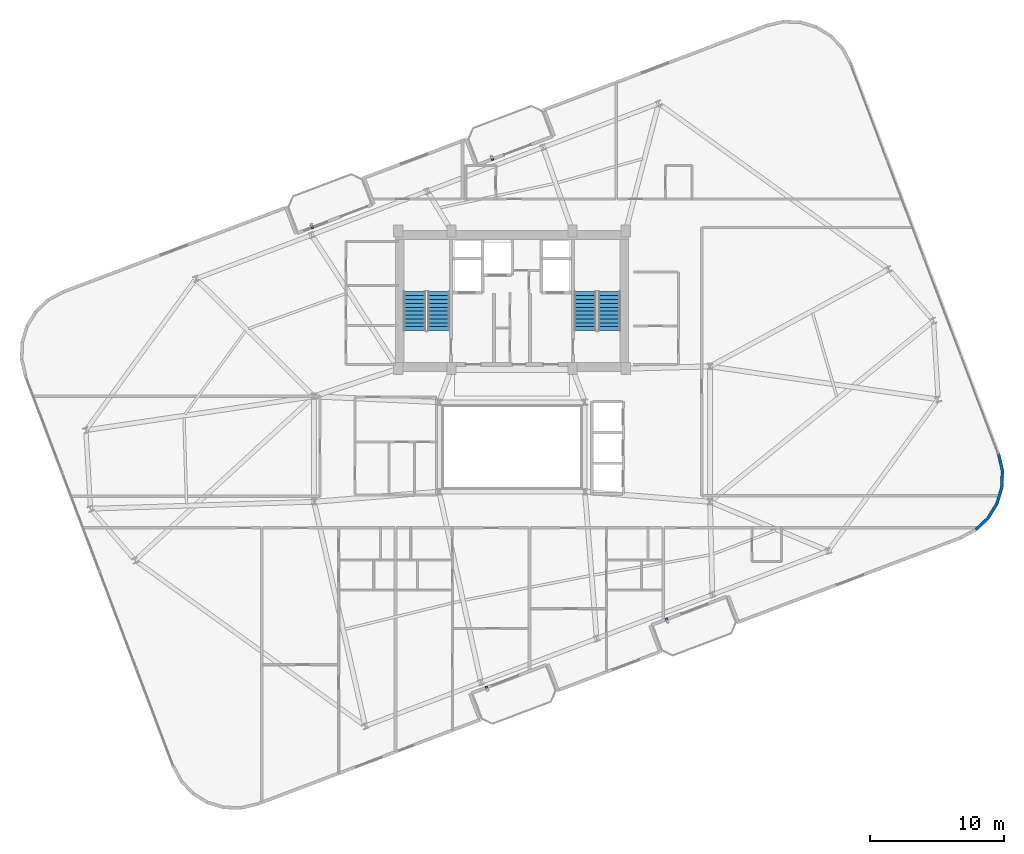
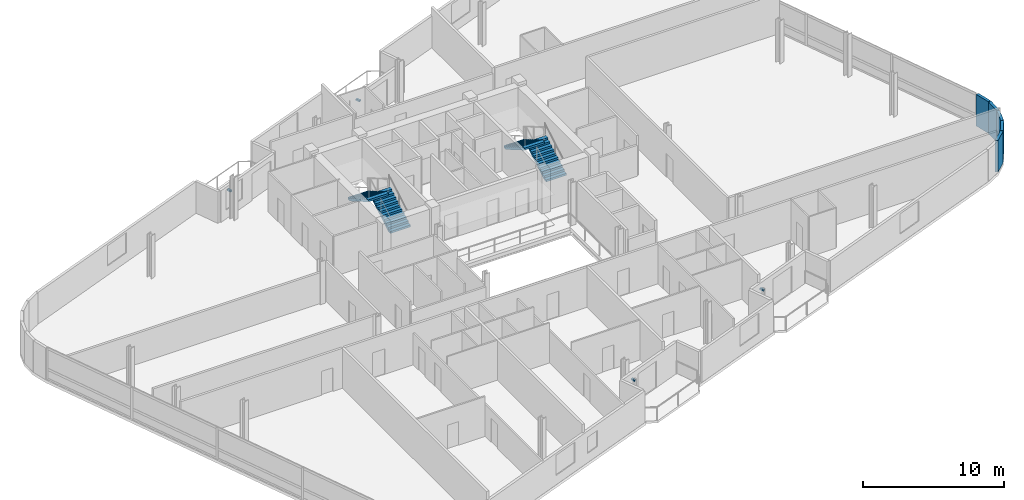
# One storey, part 18 of 20: 5 walls, 4 discrete accessories, 4 stair flights, 2 elements without a shape of their own.
"""IFC4 building model written with IfcOpenShell, lengths in metres."""

from ifc_helpers import new_model, si_unit, direction, frame, frame_2d, origin, origin_2d, place, context, subcontext, project, spatial, polyline, rectangle, outline, extrude, source, transform, mapped, material, layer, layer_set, type_object, element, aggregate, save


model = new_model("IFC4")

# Units and contexts
model_context = context("Model", 3, precision=1e-05, world=origin(), true_north=direction((0.0, 1.0)))
body_context = subcontext(model_context, "Body", "Model", "MODEL_VIEW")
ifc_project = project(units=[si_unit("LENGTHUNIT", "METRE"), si_unit("AREAUNIT", "SQUARE_METRE"), si_unit("VOLUMEUNIT", "CUBIC_METRE"), si_unit("PLANEANGLEUNIT", "RADIAN"), si_unit("MASSUNIT", "GRAM", prefix="KILO")], contexts=[model_context])

# Site, building, storey
site_placement = place(None, origin())
site = spatial("IfcSite", under=ifc_project, at=site_placement, CompositionType="ELEMENT")
building_placement = place(site_placement, origin())
building = spatial("IfcBuilding", under=site, at=building_placement, Name="Varnelok Gate Tower", CompositionType="ELEMENT")
storey_placement = place(building_placement, frame((0.0, 0.0, 220.10009765625)))
storey = spatial("IfcBuildingStorey", under=building, at=storey_placement, Name="L56", CompositionType="ELEMENT", Elevation=220.10009765625)

# Walls
ifc_material_1 = material(Name="Concrete C45/55", Category="concrete")
ifc_layer = layer(ifc_material_1, 0.219970703125)
ifc_layer_set = layer_set([ifc_layer], Name="Concrete C45/55")
wall_type = type_object("IfcWallType", Name="EW-BALC-220", PredefinedType="SOLIDWALL", material=ifc_layer_set)
wall_1_placement = place(storey_placement, frame((73.870849609375, 16.716552734375, 0.0), z_axis=(0.0, 0.0, 1.0), x_axis=(0.728475443486, 0.685071914647, 0.0)))
element("IfcWall", 1, at=wall_1_placement, inside=storey, type_object=wall_type, Name="L56 Perimeter Facade Closure Wall 15", PredefinedType="SOLIDWALL", context=body_context, shape_type="SweptSolid", body=[
    extrude(rectangle(XDim=1.248779296875, YDim=0.219970703125, at=frame_2d((0.62451171875, 0.0))), origin(), (0.0, 0.0, 1.0), 2.72998046875),
])
for number, where, z_axis, x_axis, name in (
    (2, (74.793701171875, 17.59326171875, 0.0), (0.0, 0.0, 1.0), (0.526549805576, 0.850144283194, 0.0), "L56 Perimeter Facade Closure Wall 16"),
    (3, (75.458251953125, 18.6787109375, 0.0), (0.0, 0.0, 1.0), (0.288406081086, 0.957508189204, 0.0), "L56 Perimeter Facade Closure Wall 17"),
):
    element("IfcWall", number, at=place(storey_placement, frame(where, z_axis=z_axis, x_axis=x_axis)), inside=storey, type_object=wall_type, Name=name, PredefinedType="SOLIDWALL", context=body_context, shape_type="SweptSolid", body=[
        extrude(rectangle(XDim=1.24853515625, YDim=0.219970703125, at=frame_2d((0.624267578125, 0.0))), origin(), (0.0, 0.0, 1.0), 2.72998046875),
    ])
wall_2_placement = place(storey_placement, frame((75.819091796875, 19.8994140625, 0.0), z_axis=(0.0, 0.0, 1.0), x_axis=(0.030898954628, 0.999522513305, 0.0)))
element("IfcWall", 4, at=wall_2_placement, inside=storey, type_object=wall_type, Name="L56 Perimeter Facade Closure Wall 18", PredefinedType="SOLIDWALL", context=body_context, shape_type="SweptSolid", body=[
    extrude(rectangle(XDim=1.248291015625, YDim=0.219970703125, at=frame_2d((0.6240234375, 0.0))), origin(), (0.0, 0.0, 1.0), 2.72998046875),
])
wall_3_placement = place(storey_placement, frame((75.851806640625, 21.171630859375, 0.0), z_axis=(0.0, 0.0, 1.0), x_axis=(-0.228941257463, 0.973440239887, 0.0)))
element("IfcWall", 5, at=wall_3_placement, inside=storey, type_object=wall_type, Name="L56 Perimeter Facade Closure Wall 19", PredefinedType="SOLIDWALL", context=body_context, shape_type="SweptSolid", body=[
    extrude(rectangle(XDim=1.248779296875, YDim=0.219970703125, at=frame_2d((0.62451171875, 0.0))), origin(), (0.0, 0.0, 1.0), 2.72998046875),
])

# Stair, stair flights
ifc_material_2 = material(Name="Concrete C50/60", Category="concrete")
stair_type = type_object("IfcStairType", Name="STR-CORE-1650", PredefinedType="HALF_TURN_STAIR", material=ifc_material_2)
stair_1_placement = place(storey_placement, origin())
stair_1 = element("IfcStair", 6, at=stair_1_placement, inside=storey, type_object=stair_type, Name="L56 Exit Stair ST-1", PredefinedType="HALF_TURN_STAIR")
stair_flight_type = type_object("IfcStairFlightType", Name="SFL-CORE-1650", PredefinedType="STRAIGHT", material=ifc_material_2)
stair_flight_1_placement = place(storey_placement, frame((33.72509765625, 31.60009765625, 0.0), z_axis=(0.0, 0.0, 1.0), x_axis=(0.0, 1.0, 0.0)))
stair_flight_1 = element("IfcStairFlight", 7, at=stair_flight_1_placement, type_object=stair_flight_type, Name="ST-1 flight 1", NumberOfRisers=11, NumberOfTreads=10, PredefinedType="STRAIGHT", RiserHeight=0.168181818, TreadLength=0.29, context=body_context, shape_type="SweptSolid", body=[
    extrude(outline(polyline([(0.0, 0.0), (0.0, 0.168212890625), (0.2900390625, 0.168212890625), (0.2900390625, 0.33642578125), (0.580078125, 0.33642578125), (0.580078125, 0.504638671875), (0.8701171875, 0.504638671875), (0.8701171875, 0.672607421875), (1.159912109375, 0.672607421875), (1.159912109375, 0.8408203125), (1.449951171875, 0.8408203125), (1.449951171875, 1.009033203125), (1.739990234375, 1.009033203125), (1.739990234375, 1.17724609375), (2.030029296875, 1.17724609375), (2.030029296875, 1.345458984375), (2.320068359375, 1.345458984375), (2.320068359375, 1.513671875), (2.610107421875, 1.513671875), (2.610107421875, 1.681884765625), (2.89990234375, 1.681884765625), (2.89990234375, 1.85009765625), (2.89990234375, 1.508544921875), (0.298828125, 0.0), (0.0, 0.0)])), frame((0.0, 0.824951171875, 0.0), z_axis=(0.0, -1.0, 0.0), x_axis=(1.0, 0.0, 0.0)), (0.0, 0.0, 1.0), 1.64990234375),
])
stair_flight_2_placement = place(storey_placement, frame((31.925048828125, 34.5, 1.849853515625), z_axis=(0.0, 0.0, 1.0), x_axis=(0.0, -1.0, 0.0)))
stair_flight_2 = element("IfcStairFlight", 8, at=stair_flight_2_placement, type_object=stair_flight_type, Name="ST-1 flight 2", NumberOfRisers=11, NumberOfTreads=10, PredefinedType="STRAIGHT", RiserHeight=0.168181818, TreadLength=0.29, context=body_context, shape_type="SweptSolid", body=[
    extrude(outline(polyline([(0.0, 0.0), (0.0, 0.168212890625), (0.2900390625, 0.168212890625), (0.2900390625, 0.33642578125), (0.580078125, 0.33642578125), (0.580078125, 0.504638671875), (0.8701171875, 0.504638671875), (0.8701171875, 0.672607421875), (1.159912109375, 0.672607421875), (1.159912109375, 0.8408203125), (1.449951171875, 0.8408203125), (1.449951171875, 1.009033203125), (1.739990234375, 1.009033203125), (1.739990234375, 1.17724609375), (2.030029296875, 1.17724609375), (2.030029296875, 1.345458984375), (2.320068359375, 1.345458984375), (2.320068359375, 1.513671875), (2.610107421875, 1.513671875), (2.610107421875, 1.681884765625), (2.89990234375, 1.681884765625), (2.89990234375, 1.85009765625), (2.89990234375, 1.508544921875), (0.298828125, 0.0), (0.0, 0.0)])), frame((0.0, 0.824951171875, 0.0), z_axis=(0.0, -1.0, 0.0), x_axis=(1.0, 0.0, 0.0)), (0.0, 0.0, 1.0), 1.64990234375),
])
aggregate(stair_1, [stair_flight_1, stair_flight_2])

stair_2_placement = place(storey_placement, origin())
stair_2 = element("IfcStair", 9, at=stair_2_placement, inside=storey, type_object=stair_type, Name="L56 Exit Stair ST-2", PredefinedType="HALF_TURN_STAIR")
stair_flight_3_placement = place(storey_placement, frame((46.47509765625, 31.60009765625, 0.0), z_axis=(0.0, 0.0, 1.0), x_axis=(0.0, 1.0, 0.0)))
stair_flight_3 = element("IfcStairFlight", 10, at=stair_flight_3_placement, type_object=stair_flight_type, Name="ST-2 flight 1", NumberOfRisers=11, NumberOfTreads=10, PredefinedType="STRAIGHT", RiserHeight=0.168181818, TreadLength=0.29, context=body_context, shape_type="SweptSolid", body=[
    extrude(outline(polyline([(0.0, 0.0), (0.0, 0.168212890625), (0.2900390625, 0.168212890625), (0.2900390625, 0.33642578125), (0.580078125, 0.33642578125), (0.580078125, 0.504638671875), (0.8701171875, 0.504638671875), (0.8701171875, 0.672607421875), (1.159912109375, 0.672607421875), (1.159912109375, 0.8408203125), (1.449951171875, 0.8408203125), (1.449951171875, 1.009033203125), (1.739990234375, 1.009033203125), (1.739990234375, 1.17724609375), (2.030029296875, 1.17724609375), (2.030029296875, 1.345458984375), (2.320068359375, 1.345458984375), (2.320068359375, 1.513671875), (2.610107421875, 1.513671875), (2.610107421875, 1.681884765625), (2.89990234375, 1.681884765625), (2.89990234375, 1.85009765625), (2.89990234375, 1.508544921875), (0.298828125, 0.0), (0.0, 0.0)])), frame((0.0, 0.824951171875, 0.0), z_axis=(0.0, -1.0, 0.0), x_axis=(1.0, 0.0, 0.0)), (0.0, 0.0, 1.0), 1.64990234375),
])
stair_flight_4_placement = place(storey_placement, frame((44.675048828125, 34.5, 1.849853515625), z_axis=(0.0, 0.0, 1.0), x_axis=(0.0, -1.0, 0.0)))
stair_flight_4 = element("IfcStairFlight", 11, at=stair_flight_4_placement, type_object=stair_flight_type, Name="ST-2 flight 2", NumberOfRisers=11, NumberOfTreads=10, PredefinedType="STRAIGHT", RiserHeight=0.168181818, TreadLength=0.29, context=body_context, shape_type="SweptSolid", body=[
    extrude(outline(polyline([(0.0, 0.0), (0.0, 0.168212890625), (0.2900390625, 0.168212890625), (0.2900390625, 0.33642578125), (0.580078125, 0.33642578125), (0.580078125, 0.504638671875), (0.8701171875, 0.504638671875), (0.8701171875, 0.672607421875), (1.159912109375, 0.672607421875), (1.159912109375, 0.8408203125), (1.449951171875, 0.8408203125), (1.449951171875, 1.009033203125), (1.739990234375, 1.009033203125), (1.739990234375, 1.17724609375), (2.030029296875, 1.17724609375), (2.030029296875, 1.345458984375), (2.320068359375, 1.345458984375), (2.320068359375, 1.513671875), (2.610107421875, 1.513671875), (2.610107421875, 1.681884765625), (2.89990234375, 1.681884765625), (2.89990234375, 1.85009765625), (2.89990234375, 1.508544921875), (0.298828125, 0.0), (0.0, 0.0)])), frame((0.0, 0.824951171875, 0.0), z_axis=(0.0, -1.0, 0.0), x_axis=(1.0, 0.0, 0.0)), (0.0, 0.0, 1.0), 1.64990234375),
])
aggregate(stair_2, [stair_flight_3, stair_flight_4])

# Discrete accessories
ifc_material_3 = material(Name="Structural Steel ASTM A500 Grade C", Category="steel")
discrete_accessory_type = type_object("IfcDiscreteAccessoryType", Name="ACC-BAGUETTE-BRK", PredefinedType="BRACKET", material=ifc_material_3)
shared_shape = source(origin(), body_context, "Body", "SweptSolid", [
    extrude(rectangle(XDim=0.159912109375, YDim=0.340087890625, at=origin_2d()), origin(), (0.0, 0.0, 1.0), 0.139892578125),
])
for number, where, z_axis, x_axis, name in (
    (12, (37.322509765625, 4.83984375, 1.97998046875), (0.0, 0.0, 1.0), (0.935221751401, 0.354062530786, 0.0), "L56 Terracotta Baguette Bracket 1.1"),
    (13, (50.789794921875, 9.9384765625, 1.97998046875), (0.0, 0.0, 1.0), (0.935221751401, 0.354062530786, 0.0), "L56 Terracotta Baguette Bracket 2.1"),
    (14, (24.243408203125, 39.386962890625, 1.97998046875), (0.0, 0.0, 1.0), (0.935221751401, 0.354062530786, 0.0), "L56 Terracotta Baguette Bracket 3.1"),
    (15, (37.710693359375, 44.485595703125, 1.97998046875), (0.0, 0.0, 1.0), (0.935221751401, 0.354062530786, 0.0), "L56 Terracotta Baguette Bracket 4.1"),
):
    element("IfcDiscreteAccessory", number, at=place(storey_placement, frame(where, z_axis=z_axis, x_axis=x_axis)), inside=storey, type_object=discrete_accessory_type, Name=name, PredefinedType="BRACKET", context=body_context, shape_type="MappedRepresentation", body=[
        mapped(shared_shape, transform((0.0, 0.0, 0.0), scale=1.0)),
    ])

save(model, "model.ifc")
